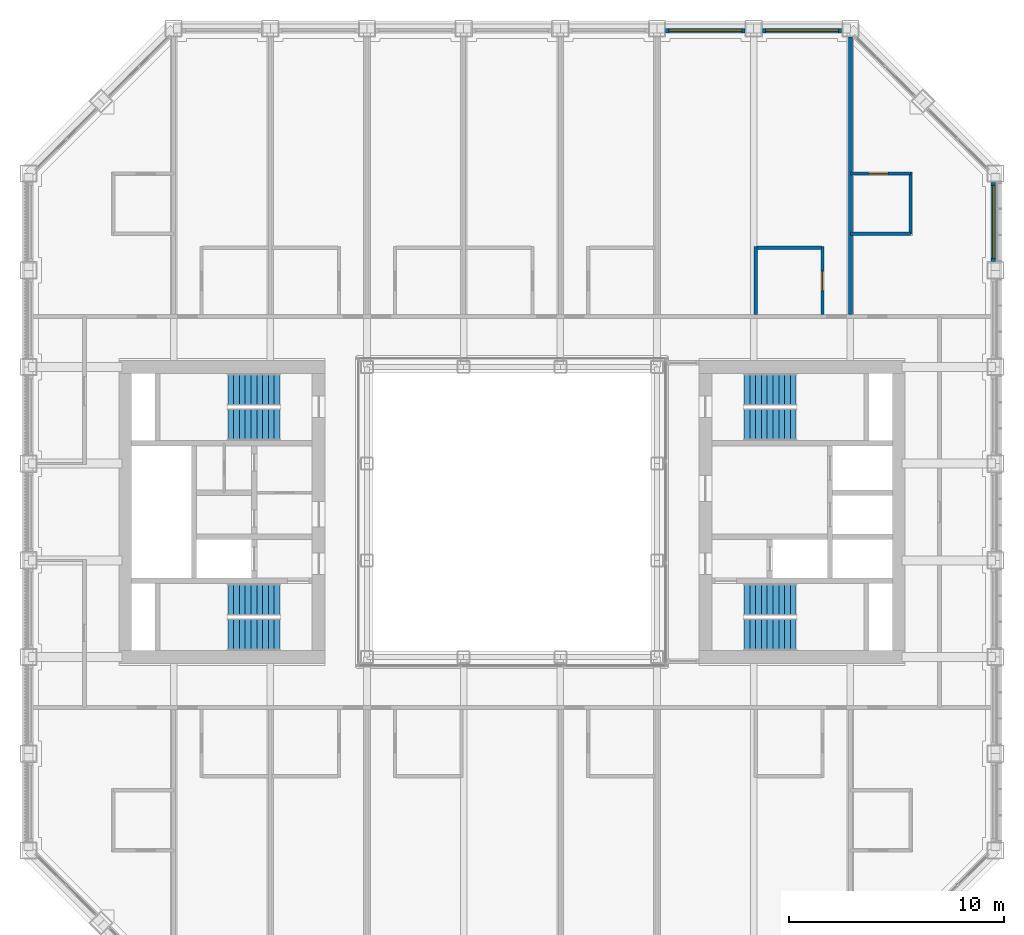
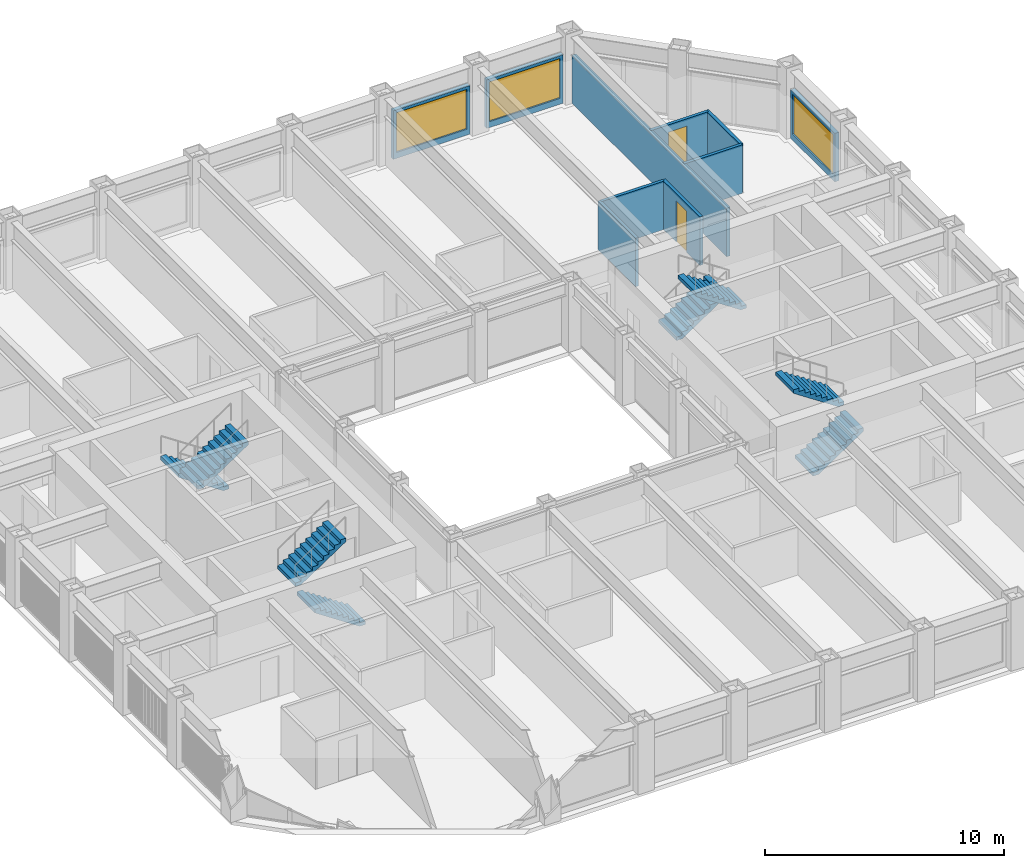
# One storey, part 14 of 17: 10 walls, 8 stair flights, 3 windows, 2 doors, 5 openings, 4 elements without a shape of their own.
"""IFC4 building model written with IfcOpenShell, lengths in metres."""

from ifc_helpers import new_model, si_unit, direction, frame, frame_2d, origin, place, context, subcontext, project, spatial, polyline, rectangle, outline, extrude, material, layer, layer_set, type_object, element, fill, aggregate, save


model = new_model("IFC4")

# Units and contexts
model_context = context("Model", 3, precision=1e-05, world=origin(), true_north=direction((0.0, 1.0)))
body_context = subcontext(model_context, "Body", "Model", "MODEL_VIEW")
ifc_project = project(units=[si_unit("LENGTHUNIT", "METRE"), si_unit("AREAUNIT", "SQUARE_METRE"), si_unit("VOLUMEUNIT", "CUBIC_METRE"), si_unit("PLANEANGLEUNIT", "RADIAN"), si_unit("MASSUNIT", "GRAM", prefix="KILO")], contexts=[model_context])

# Site, building, storey
site_placement = place(None, origin())
site = spatial("IfcSite", under=ifc_project, at=site_placement, CompositionType="ELEMENT")
building_placement = place(site_placement, origin())
building = spatial("IfcBuilding", under=site, at=building_placement, Name="Msasa Ring Tower", CompositionType="ELEMENT")
storey_placement = place(building_placement, frame((0.0, 0.0, 147.199951171875)))
storey = spatial("IfcBuildingStorey", under=building, at=storey_placement, Name="L38", CompositionType="ELEMENT", Elevation=147.199951171875)

# Wall, opening, window
ifc_material_1 = material(Name="Terracotta rainscreen on blockwork", Category="masonry")
ifc_layer_1 = layer(ifc_material_1, 0.199951171875)
ifc_layer_set_1 = layer_set([ifc_layer_1], Name="FW1 TERRACOTTA-LINED INFILL BAY WALL 200")
wall_type_1 = type_object("IfcWallType", Name="FW1 TERRACOTTA-LINED INFILL BAY WALL 200", PredefinedType="SOLIDWALL", material=ifc_layer_set_1)
wall_1_placement = place(storey_placement, frame((22.39990234375, 11.655029296875, 0.0), z_axis=(0.0, 0.0, 1.0), x_axis=(0.0, 1.0, 0.0)))
wall_1 = element("IfcWall", 1, at=wall_1_placement, inside=storey, type_object=wall_type_1, Name="Infill bay wall E L38 15", PredefinedType="SOLIDWALL", context=body_context, shape_type="SweptSolid", body=[
    extrude(rectangle(XDim=3.68994140625, YDim=0.199951171875, at=frame_2d((1.844970703125, 0.0))), origin(), (0.0, 0.0, 1.0), 2.47900390625),
])
opening_1_placement = place(wall_1_placement, frame((0.14501953125, 0.0, 0.300048828125)))
opening_1 = element("IfcOpeningElement", 2, at=opening_1_placement, cuts=wall_1, Name="Opening WN2", PredefinedType="OPENING", context=body_context, shape_type="SweptSolid", body=[
    extrude(rectangle(XDim=3.39990234375, YDim=2.029052734375, at=frame_2d((1.699951171875, 1.0146484375))), frame((0.0, 0.10986328125, 0.0), z_axis=(0.0, -1.0, 0.0), x_axis=(1.0, 0.0, 0.0)), (0.0, 0.0, 1.0), 0.219970703125),
])
ifc_material_2 = material(Name="Aluminium frame with clear glass", Category="aluminium")
window_type = type_object("IfcWindowType", Name="WN2 GUEST ROOM WINDOW 3400x2029", PartitioningType="SINGLE_PANEL", PredefinedType="WINDOW", material=ifc_material_2)
window_1_placement = place(opening_1_placement, origin())
window_1 = element("IfcWindow", 3, at=window_1_placement, inside=storey, type_object=window_type, Name="Window E L38 15", OverallHeight=2.029052734375, OverallWidth=3.39990234375, PartitioningType="SINGLE_PANEL", PredefinedType="WINDOW", context=body_context, shape_type="SweptSolid", body=[
    extrude(rectangle(XDim=3.39990234375, YDim=2.029052734375, at=frame_2d((1.699951171875, 1.0146484375))), frame((0.0, 0.030029296875, 0.0), z_axis=(0.0, -1.0, 0.0), x_axis=(1.0, 0.0, 0.0)), (0.0, 0.0, 1.0), 0.06005859375),
])
fill(opening_1, window_1)

wall_2_placement = place(storey_placement, frame((7.155029296875, 22.39990234375, 0.0), z_axis=(0.0, 0.0, 1.0), x_axis=(1.0, 0.0, 0.0)))
wall_2 = element("IfcWall", 4, at=wall_2_placement, inside=storey, type_object=wall_type_1, Name="Infill bay wall N L38 23", PredefinedType="SOLIDWALL", context=body_context, shape_type="SweptSolid", body=[
    extrude(rectangle(XDim=3.68994140625, YDim=0.199951171875, at=frame_2d((1.844970703125, 0.0))), origin(), (0.0, 0.0, 1.0), 2.47900390625),
])
opening_2_placement = place(wall_2_placement, frame((0.14501953125, 0.0, 0.300048828125)))
opening_2 = element("IfcOpeningElement", 5, at=opening_2_placement, cuts=wall_2, Name="Opening WN2", PredefinedType="OPENING", context=body_context, shape_type="SweptSolid", body=[
    extrude(rectangle(XDim=3.39990234375, YDim=2.029052734375, at=frame_2d((1.699951171875, 1.0146484375))), frame((0.0, 0.10986328125, 0.0), z_axis=(0.0, -1.0, 0.0), x_axis=(1.0, 0.0, 0.0)), (0.0, 0.0, 1.0), 0.219970703125),
])
window_2_placement = place(opening_2_placement, origin())
window_2 = element("IfcWindow", 6, at=window_2_placement, inside=storey, type_object=window_type, Name="Window N L38 23", OverallHeight=2.029052734375, OverallWidth=3.39990234375, PartitioningType="SINGLE_PANEL", PredefinedType="WINDOW", context=body_context, shape_type="SweptSolid", body=[
    extrude(rectangle(XDim=3.39990234375, YDim=2.029052734375, at=frame_2d((1.699951171875, 1.0146484375))), frame((0.0, 0.030029296875, 0.0), z_axis=(0.0, -1.0, 0.0), x_axis=(1.0, 0.0, 0.0)), (0.0, 0.0, 1.0), 0.06005859375),
])
fill(opening_2, window_2)

wall_3_placement = place(storey_placement, frame((11.655029296875, 22.39990234375, 0.0), z_axis=(0.0, 0.0, 1.0), x_axis=(1.0, 0.0, 0.0)))
wall_3 = element("IfcWall", 7, at=wall_3_placement, inside=storey, type_object=wall_type_1, Name="Infill bay wall N L38 24", PredefinedType="SOLIDWALL", context=body_context, shape_type="SweptSolid", body=[
    extrude(rectangle(XDim=3.68994140625, YDim=0.199951171875, at=frame_2d((1.844970703125, 0.0))), origin(), (0.0, 0.0, 1.0), 2.47900390625),
])
opening_3_placement = place(wall_3_placement, frame((0.14501953125, 0.0, 0.300048828125)))
opening_3 = element("IfcOpeningElement", 8, at=opening_3_placement, cuts=wall_3, Name="Opening WN2", PredefinedType="OPENING", context=body_context, shape_type="SweptSolid", body=[
    extrude(rectangle(XDim=3.39990234375, YDim=2.029052734375, at=frame_2d((1.699951171875, 1.0146484375))), frame((0.0, 0.10986328125, 0.0), z_axis=(0.0, -1.0, 0.0), x_axis=(1.0, 0.0, 0.0)), (0.0, 0.0, 1.0), 0.219970703125),
])
window_3_placement = place(opening_3_placement, origin())
window_3 = element("IfcWindow", 9, at=window_3_placement, inside=storey, type_object=window_type, Name="Window N L38 24", OverallHeight=2.029052734375, OverallWidth=3.39990234375, PartitioningType="SINGLE_PANEL", PredefinedType="WINDOW", context=body_context, shape_type="SweptSolid", body=[
    extrude(rectangle(XDim=3.39990234375, YDim=2.029052734375, at=frame_2d((1.699951171875, 1.0146484375))), frame((0.0, 0.030029296875, 0.0), z_axis=(0.0, -1.0, 0.0), x_axis=(1.0, 0.0, 0.0)), (0.0, 0.0, 1.0), 0.06005859375),
])
fill(opening_3, window_3)

# Wall, opening, door
ifc_material_3 = material(Name="Moisture-resistant board on steel studs with a concealed cistern and pipe void, tiled", Category="steel")
ifc_layer_2 = layer(ifc_material_3, 0.14990234375)
ifc_layer_set_2 = layer_set([ifc_layer_2], Name="PT4 BATHROOM WET WALL 150")
wall_type_2 = type_object("IfcWallType", Name="PT4 BATHROOM WET WALL 150", PredefinedType="PARTITIONING", material=ifc_layer_set_2)
wall_4_placement = place(storey_placement, frame((14.449951171875, 9.199951171875, 0.0), z_axis=(0.0, 0.0, 1.0), x_axis=(0.0, 1.0, 0.0)))
wall_4 = element("IfcWall", 10, at=wall_4_placement, inside=storey, type_object=wall_type_2, Name="Partition L38-GN05BX", PredefinedType="PARTITIONING", context=body_context, shape_type="SweptSolid", body=[
    extrude(rectangle(XDim=3.150146484375, YDim=0.14990234375, at=frame_2d((1.5751953125, 0.0))), origin(), (0.0, 0.0, 1.0), 2.473388671875),
])
opening_4_placement = place(wall_4_placement, frame((1.10009765625, 0.0, 0.0)))
opening_4 = element("IfcOpeningElement", 11, at=opening_4_placement, cuts=wall_4, Name="Opening HC-008", PredefinedType="OPENING", context=body_context, shape_type="SweptSolid", body=[
    extrude(rectangle(XDim=0.89990234375, YDim=2.10009765625, at=frame_2d((0.449951171875, 1.050048828125))), frame((0.0, 0.0849609375, 0.0), z_axis=(0.0, -1.0, 0.0), x_axis=(1.0, 0.0, 0.0)), (0.0, 0.0, 1.0), 0.169921875),
])
ifc_material_4 = material(Name="Timber door leaf in a steel frame", Category="steel")
door_type = type_object("IfcDoorType", Name="D3 BATHROOM DOOR 900x2100", OperationType="SINGLE_SWING_LEFT", PredefinedType="DOOR", material=ifc_material_4)
door_1_placement = place(opening_4_placement, origin())
door_1 = element("IfcDoor", 12, at=door_1_placement, inside=storey, type_object=door_type, Name="Door L38-GN05B", OperationType="SINGLE_SWING_LEFT", OverallHeight=2.10009765625, OverallWidth=0.89990234375, PredefinedType="DOOR", context=body_context, shape_type="SweptSolid", body=[
    extrude(rectangle(XDim=0.89990234375, YDim=2.10009765625, at=frame_2d((0.449951171875, 1.050048828125))), frame((0.0, 0.02490234375, 0.0), z_axis=(0.0, -1.0, 0.0), x_axis=(1.0, 0.0, 0.0)), (0.0, 0.0, 1.0), 0.050048828125),
])
fill(opening_4, door_1)

# Walls
wall_5_placement = place(storey_placement, frame((11.35009765625, 9.199951171875, 0.0), z_axis=(0.0, 0.0, 1.0), x_axis=(0.0, 1.0, 0.0)))
element("IfcWall", 13, at=wall_5_placement, inside=storey, type_object=wall_type_2, Name="Partition L38-GN05BF", PredefinedType="PARTITIONING", context=body_context, shape_type="SweptSolid", body=[
    extrude(rectangle(XDim=3.150146484375, YDim=0.14990234375, at=frame_2d((1.5751953125, 0.0))), origin(), (0.0, 0.0, 1.0), 2.473388671875),
])
wall_6_placement = place(storey_placement, frame((11.39990234375, 12.300048828125, 0.0), z_axis=(0.0, 0.0, 1.0), x_axis=(1.0, 0.0, 0.0)))
element("IfcWall", 14, at=wall_6_placement, inside=storey, type_object=wall_type_2, Name="Partition L38-GN05BY", PredefinedType="PARTITIONING", context=body_context, shape_type="SweptSolid", body=[
    extrude(rectangle(XDim=3.0, YDim=0.14990234375, at=frame_2d((1.5, 0.0))), origin(), (0.0, 0.0, 1.0), 2.473388671875),
])
wall_7_placement = place(storey_placement, frame((18.550048828125, 12.949951171875, 0.0), z_axis=(0.0, 0.0, 1.0), x_axis=(0.0, 1.0, 0.0)))
element("IfcWall", 15, at=wall_7_placement, inside=storey, type_object=wall_type_2, Name="Partition L38-CSNEBX", PredefinedType="PARTITIONING", context=body_context, shape_type="SweptSolid", body=[
    extrude(rectangle(XDim=2.875, YDim=0.14990234375, at=frame_2d((1.4375, 0.0))), origin(), (0.0, 0.0, 1.0), 2.473388671875),
])
wall_8_placement = place(storey_placement, frame((15.75, 12.949951171875, 0.0), z_axis=(0.0, 0.0, 1.0), x_axis=(1.0, 0.0, 0.0)))
element("IfcWall", 16, at=wall_8_placement, inside=storey, type_object=wall_type_2, Name="Partition L38-CSNEBY", PredefinedType="PARTITIONING", context=body_context, shape_type="SweptSolid", body=[
    extrude(rectangle(XDim=2.800048828125, YDim=0.14990234375, at=frame_2d((1.39990234375, 0.0))), origin(), (0.0, 0.0, 1.0), 2.473388671875),
])

# Wall, opening, door
wall_9_placement = place(storey_placement, frame((15.75, 15.75, 0.0), z_axis=(0.0, 0.0, 1.0), x_axis=(1.0, 0.0, 0.0)))
wall_9 = element("IfcWall", 17, at=wall_9_placement, inside=storey, type_object=wall_type_2, Name="Partition L38-CSNEBZ", PredefinedType="PARTITIONING", context=body_context, shape_type="SweptSolid", body=[
    extrude(rectangle(XDim=2.800048828125, YDim=0.14990234375, at=frame_2d((1.39990234375, 0.0))), origin(), (0.0, 0.0, 1.0), 2.473388671875),
])
opening_5_placement = place(wall_9_placement, frame((0.85009765625, 0.0, 0.0)))
opening_5 = element("IfcOpeningElement", 18, at=opening_5_placement, cuts=wall_9, Name="Opening HC-002", PredefinedType="OPENING", context=body_context, shape_type="SweptSolid", body=[
    extrude(rectangle(XDim=0.89990234375, YDim=2.10009765625, at=frame_2d((0.449951171875, 1.050048828125))), frame((0.0, 0.0849609375, 0.0), z_axis=(0.0, -1.0, 0.0), x_axis=(1.0, 0.0, 0.0)), (0.0, 0.0, 1.0), 0.169921875),
])
door_2_placement = place(opening_5_placement, origin())
door_2 = element("IfcDoor", 19, at=door_2_placement, inside=storey, type_object=door_type, Name="Door L38-CSNEB1", OperationType="SINGLE_SWING_LEFT", OverallHeight=2.10009765625, OverallWidth=0.89990234375, PredefinedType="DOOR", context=body_context, shape_type="SweptSolid", body=[
    extrude(rectangle(XDim=0.89990234375, YDim=2.10009765625, at=frame_2d((0.449951171875, 1.050048828125))), frame((0.0, 0.02490234375, 0.0), z_axis=(0.0, -1.0, 0.0), x_axis=(1.0, 0.0, 0.0)), (0.0, 0.0, 1.0), 0.050048828125),
])
fill(opening_5, door_2)

# Wall
ifc_material_5 = material(Name="Twin steel studs, two layers of acoustic board each face, mineral wool", Category="steel")
ifc_layer_3 = layer(ifc_material_5, 0.175048828125)
ifc_layer_set_3 = layer_set([ifc_layer_3], Name="PT5 GUEST ROOM SEPARATING WALL 175")
wall_type_3 = type_object("IfcWallType", Name="PT5 GUEST ROOM SEPARATING WALL 175", PredefinedType="PARTITIONING", material=ifc_layer_set_3)
wall_10_placement = place(storey_placement, frame((15.75, 9.199951171875, 0.0), z_axis=(0.0, 0.0, 1.0), x_axis=(0.0, 1.0, 0.0)))
element("IfcWall", 20, at=wall_10_placement, inside=storey, type_object=wall_type_3, Name="Partition L38-PWN+15.75", PredefinedType="PARTITIONING", context=body_context, shape_type="SweptSolid", body=[
    extrude(rectangle(XDim=12.900146484375, YDim=0.175048828125, at=frame_2d((6.4501953125, 0.0))), origin(), (0.0, 0.0, 1.0), 2.473388671875),
])

# Stair, stair flights
ifc_material_6 = material(Name="Concrete C40/50", Category="concrete")
stair_type = type_object("IfcStairType", Name="STC CORE STAIR 20 RISERS 180", PredefinedType="HALF_TURN_STAIR", material=ifc_material_6)
stair_1_placement = place(storey_placement, origin())
stair_1 = element("IfcStair", 21, at=stair_1_placement, inside=storey, type_object=stair_type, Name="Core stair SEA L38", PredefinedType="HALF_TURN_STAIR")
ifc_material_7 = material(Name="Concrete C40/50", Category="concrete")
stair_flight_type = type_object("IfcStairFlightType", Name="ST14 CORE STAIR FLIGHT 1500 10 RISERS 180", PredefinedType="STRAIGHT", material=ifc_material_7)
stair_flight_1_placement = place(storey_placement, frame((10.800048828125, -5.699951171875, 0.0), z_axis=(0.0, 0.0, 1.0), x_axis=(1.0, 0.0, 0.0)))
stair_flight_1 = element("IfcStairFlight", 22, at=stair_flight_1_placement, type_object=stair_flight_type, Name="SEA flight 1", NumberOfRisers=10, NumberOfTreads=9, PredefinedType="STRAIGHT", RiserHeight=0.18, TreadLength=0.27, context=body_context, shape_type="SweptSolid", body=[
    extrude(outline(polyline([(0.0, 0.0), (0.0, 0.179931640625), (0.27001953125, 0.179931640625), (0.27001953125, 0.360107421875), (0.5400390625, 0.360107421875), (0.5400390625, 0.5400390625), (0.81005859375, 0.5400390625), (0.81005859375, 0.719970703125), (1.080078125, 0.719970703125), (1.080078125, 0.89990234375), (1.35009765625, 0.89990234375), (1.35009765625, 1.080078125), (1.6201171875, 1.080078125), (1.6201171875, 1.260009765625), (1.889892578125, 1.260009765625), (1.889892578125, 1.43994140625), (2.159912109375, 1.43994140625), (2.159912109375, 1.6201171875), (2.429931640625, 1.6201171875), (2.429931640625, 1.800048828125), (2.429931640625, 1.43994140625), (0.270263671875, 0.0), (0.0, 0.0)])), frame((0.0, 0.75, 0.0), z_axis=(0.0, -1.0, 0.0), x_axis=(1.0, 0.0, 0.0)), (0.0, 0.0, 1.0), 1.5),
])
stair_flight_2_placement = place(storey_placement, frame((13.22998046875, -4.074951171875, 1.800048828125), z_axis=(0.0, 0.0, 1.0), x_axis=(-1.0, 0.0, 0.0)))
stair_flight_2 = element("IfcStairFlight", 23, at=stair_flight_2_placement, type_object=stair_flight_type, Name="SEA flight 2", NumberOfRisers=10, NumberOfTreads=9, PredefinedType="STRAIGHT", RiserHeight=0.18, TreadLength=0.27, context=body_context, shape_type="SweptSolid", body=[
    extrude(outline(polyline([(0.0, 0.0), (0.0, 0.179931640625), (0.27001953125, 0.179931640625), (0.27001953125, 0.360107421875), (0.5400390625, 0.360107421875), (0.5400390625, 0.5400390625), (0.81005859375, 0.5400390625), (0.81005859375, 0.719970703125), (1.080078125, 0.719970703125), (1.080078125, 0.89990234375), (1.35009765625, 0.89990234375), (1.35009765625, 1.080078125), (1.6201171875, 1.080078125), (1.6201171875, 1.260009765625), (1.889892578125, 1.260009765625), (1.889892578125, 1.43994140625), (2.159912109375, 1.43994140625), (2.159912109375, 1.6201171875), (2.429931640625, 1.6201171875), (2.429931640625, 1.800048828125), (2.429931640625, 1.43994140625), (0.270263671875, 0.0), (0.0, 0.0)])), frame((0.0, 0.75, 0.0), z_axis=(0.0, -1.0, 0.0), x_axis=(1.0, 0.0, 0.0)), (0.0, 0.0, 1.0), 1.5),
])
aggregate(stair_1, [stair_flight_1, stair_flight_2])

stair_2_placement = place(storey_placement, origin())
stair_2 = element("IfcStair", 24, at=stair_2_placement, inside=storey, type_object=stair_type, Name="Core stair SEB L38", PredefinedType="HALF_TURN_STAIR")
stair_flight_3_placement = place(storey_placement, frame((10.800048828125, 5.699951171875, 0.0), z_axis=(0.0, 0.0, 1.0), x_axis=(1.0, 0.0, 0.0)))
stair_flight_3 = element("IfcStairFlight", 25, at=stair_flight_3_placement, type_object=stair_flight_type, Name="SEB flight 1", NumberOfRisers=10, NumberOfTreads=9, PredefinedType="STRAIGHT", RiserHeight=0.18, TreadLength=0.27, context=body_context, shape_type="SweptSolid", body=[
    extrude(outline(polyline([(0.0, 0.0), (0.0, 0.179931640625), (0.27001953125, 0.179931640625), (0.27001953125, 0.360107421875), (0.5400390625, 0.360107421875), (0.5400390625, 0.5400390625), (0.81005859375, 0.5400390625), (0.81005859375, 0.719970703125), (1.080078125, 0.719970703125), (1.080078125, 0.89990234375), (1.35009765625, 0.89990234375), (1.35009765625, 1.080078125), (1.6201171875, 1.080078125), (1.6201171875, 1.260009765625), (1.889892578125, 1.260009765625), (1.889892578125, 1.43994140625), (2.159912109375, 1.43994140625), (2.159912109375, 1.6201171875), (2.429931640625, 1.6201171875), (2.429931640625, 1.800048828125), (2.429931640625, 1.43994140625), (0.270263671875, 0.0), (0.0, 0.0)])), frame((0.0, 0.75, 0.0), z_axis=(0.0, -1.0, 0.0), x_axis=(1.0, 0.0, 0.0)), (0.0, 0.0, 1.0), 1.5),
])
stair_flight_4_placement = place(storey_placement, frame((13.22998046875, 4.074951171875, 1.800048828125), z_axis=(0.0, 0.0, 1.0), x_axis=(-1.0, 0.0, 0.0)))
stair_flight_4 = element("IfcStairFlight", 26, at=stair_flight_4_placement, type_object=stair_flight_type, Name="SEB flight 2", NumberOfRisers=10, NumberOfTreads=9, PredefinedType="STRAIGHT", RiserHeight=0.18, TreadLength=0.27, context=body_context, shape_type="SweptSolid", body=[
    extrude(outline(polyline([(0.0, 0.0), (0.0, 0.179931640625), (0.27001953125, 0.179931640625), (0.27001953125, 0.360107421875), (0.5400390625, 0.360107421875), (0.5400390625, 0.5400390625), (0.81005859375, 0.5400390625), (0.81005859375, 0.719970703125), (1.080078125, 0.719970703125), (1.080078125, 0.89990234375), (1.35009765625, 0.89990234375), (1.35009765625, 1.080078125), (1.6201171875, 1.080078125), (1.6201171875, 1.260009765625), (1.889892578125, 1.260009765625), (1.889892578125, 1.43994140625), (2.159912109375, 1.43994140625), (2.159912109375, 1.6201171875), (2.429931640625, 1.6201171875), (2.429931640625, 1.800048828125), (2.429931640625, 1.43994140625), (0.270263671875, 0.0), (0.0, 0.0)])), frame((0.0, 0.75, 0.0), z_axis=(0.0, -1.0, 0.0), x_axis=(1.0, 0.0, 0.0)), (0.0, 0.0, 1.0), 1.5),
])
aggregate(stair_2, [stair_flight_3, stair_flight_4])

stair_3_placement = place(storey_placement, origin())
stair_3 = element("IfcStair", 27, at=stair_3_placement, inside=storey, type_object=stair_type, Name="Core stair SWA L38", PredefinedType="HALF_TURN_STAIR")
stair_flight_5_placement = place(storey_placement, frame((-10.800048828125, -5.699951171875, 0.0), z_axis=(0.0, 0.0, 1.0), x_axis=(-1.0, 0.0, 0.0)))
stair_flight_5 = element("IfcStairFlight", 28, at=stair_flight_5_placement, type_object=stair_flight_type, Name="SWA flight 1", NumberOfRisers=10, NumberOfTreads=9, PredefinedType="STRAIGHT", RiserHeight=0.18, TreadLength=0.27, context=body_context, shape_type="SweptSolid", body=[
    extrude(outline(polyline([(0.0, 0.0), (0.0, 0.179931640625), (0.27001953125, 0.179931640625), (0.27001953125, 0.360107421875), (0.5400390625, 0.360107421875), (0.5400390625, 0.5400390625), (0.81005859375, 0.5400390625), (0.81005859375, 0.719970703125), (1.080078125, 0.719970703125), (1.080078125, 0.89990234375), (1.35009765625, 0.89990234375), (1.35009765625, 1.080078125), (1.6201171875, 1.080078125), (1.6201171875, 1.260009765625), (1.889892578125, 1.260009765625), (1.889892578125, 1.43994140625), (2.159912109375, 1.43994140625), (2.159912109375, 1.6201171875), (2.429931640625, 1.6201171875), (2.429931640625, 1.800048828125), (2.429931640625, 1.43994140625), (0.270263671875, 0.0), (0.0, 0.0)])), frame((0.0, 0.75, 0.0), z_axis=(0.0, -1.0, 0.0), x_axis=(1.0, 0.0, 0.0)), (0.0, 0.0, 1.0), 1.5),
])
stair_flight_6_placement = place(storey_placement, frame((-13.22998046875, -4.074951171875, 1.800048828125), z_axis=(0.0, 0.0, 1.0), x_axis=(1.0, 0.0, 0.0)))
stair_flight_6 = element("IfcStairFlight", 29, at=stair_flight_6_placement, type_object=stair_flight_type, Name="SWA flight 2", NumberOfRisers=10, NumberOfTreads=9, PredefinedType="STRAIGHT", RiserHeight=0.18, TreadLength=0.27, context=body_context, shape_type="SweptSolid", body=[
    extrude(outline(polyline([(0.0, 0.0), (0.0, 0.179931640625), (0.27001953125, 0.179931640625), (0.27001953125, 0.360107421875), (0.5400390625, 0.360107421875), (0.5400390625, 0.5400390625), (0.81005859375, 0.5400390625), (0.81005859375, 0.719970703125), (1.080078125, 0.719970703125), (1.080078125, 0.89990234375), (1.35009765625, 0.89990234375), (1.35009765625, 1.080078125), (1.6201171875, 1.080078125), (1.6201171875, 1.260009765625), (1.889892578125, 1.260009765625), (1.889892578125, 1.43994140625), (2.159912109375, 1.43994140625), (2.159912109375, 1.6201171875), (2.429931640625, 1.6201171875), (2.429931640625, 1.800048828125), (2.429931640625, 1.43994140625), (0.270263671875, 0.0), (0.0, 0.0)])), frame((0.0, 0.75, 0.0), z_axis=(0.0, -1.0, 0.0), x_axis=(1.0, 0.0, 0.0)), (0.0, 0.0, 1.0), 1.5),
])
aggregate(stair_3, [stair_flight_5, stair_flight_6])

stair_4_placement = place(storey_placement, origin())
stair_4 = element("IfcStair", 30, at=stair_4_placement, inside=storey, type_object=stair_type, Name="Core stair SWB L38", PredefinedType="HALF_TURN_STAIR")
stair_flight_7_placement = place(storey_placement, frame((-10.800048828125, 5.699951171875, 0.0), z_axis=(0.0, 0.0, 1.0), x_axis=(-1.0, 0.0, 0.0)))
stair_flight_7 = element("IfcStairFlight", 31, at=stair_flight_7_placement, type_object=stair_flight_type, Name="SWB flight 1", NumberOfRisers=10, NumberOfTreads=9, PredefinedType="STRAIGHT", RiserHeight=0.18, TreadLength=0.27, context=body_context, shape_type="SweptSolid", body=[
    extrude(outline(polyline([(0.0, 0.0), (0.0, 0.179931640625), (0.27001953125, 0.179931640625), (0.27001953125, 0.360107421875), (0.5400390625, 0.360107421875), (0.5400390625, 0.5400390625), (0.81005859375, 0.5400390625), (0.81005859375, 0.719970703125), (1.080078125, 0.719970703125), (1.080078125, 0.89990234375), (1.35009765625, 0.89990234375), (1.35009765625, 1.080078125), (1.6201171875, 1.080078125), (1.6201171875, 1.260009765625), (1.889892578125, 1.260009765625), (1.889892578125, 1.43994140625), (2.159912109375, 1.43994140625), (2.159912109375, 1.6201171875), (2.429931640625, 1.6201171875), (2.429931640625, 1.800048828125), (2.429931640625, 1.43994140625), (0.270263671875, 0.0), (0.0, 0.0)])), frame((0.0, 0.75, 0.0), z_axis=(0.0, -1.0, 0.0), x_axis=(1.0, 0.0, 0.0)), (0.0, 0.0, 1.0), 1.5),
])
stair_flight_8_placement = place(storey_placement, frame((-13.22998046875, 4.074951171875, 1.800048828125), z_axis=(0.0, 0.0, 1.0), x_axis=(1.0, 0.0, 0.0)))
stair_flight_8 = element("IfcStairFlight", 32, at=stair_flight_8_placement, type_object=stair_flight_type, Name="SWB flight 2", NumberOfRisers=10, NumberOfTreads=9, PredefinedType="STRAIGHT", RiserHeight=0.18, TreadLength=0.27, context=body_context, shape_type="SweptSolid", body=[
    extrude(outline(polyline([(0.0, 0.0), (0.0, 0.179931640625), (0.27001953125, 0.179931640625), (0.27001953125, 0.360107421875), (0.5400390625, 0.360107421875), (0.5400390625, 0.5400390625), (0.81005859375, 0.5400390625), (0.81005859375, 0.719970703125), (1.080078125, 0.719970703125), (1.080078125, 0.89990234375), (1.35009765625, 0.89990234375), (1.35009765625, 1.080078125), (1.6201171875, 1.080078125), (1.6201171875, 1.260009765625), (1.889892578125, 1.260009765625), (1.889892578125, 1.43994140625), (2.159912109375, 1.43994140625), (2.159912109375, 1.6201171875), (2.429931640625, 1.6201171875), (2.429931640625, 1.800048828125), (2.429931640625, 1.43994140625), (0.270263671875, 0.0), (0.0, 0.0)])), frame((0.0, 0.75, 0.0), z_axis=(0.0, -1.0, 0.0), x_axis=(1.0, 0.0, 0.0)), (0.0, 0.0, 1.0), 1.5),
])
aggregate(stair_4, [stair_flight_7, stair_flight_8])

save(model, "model.ifc")
